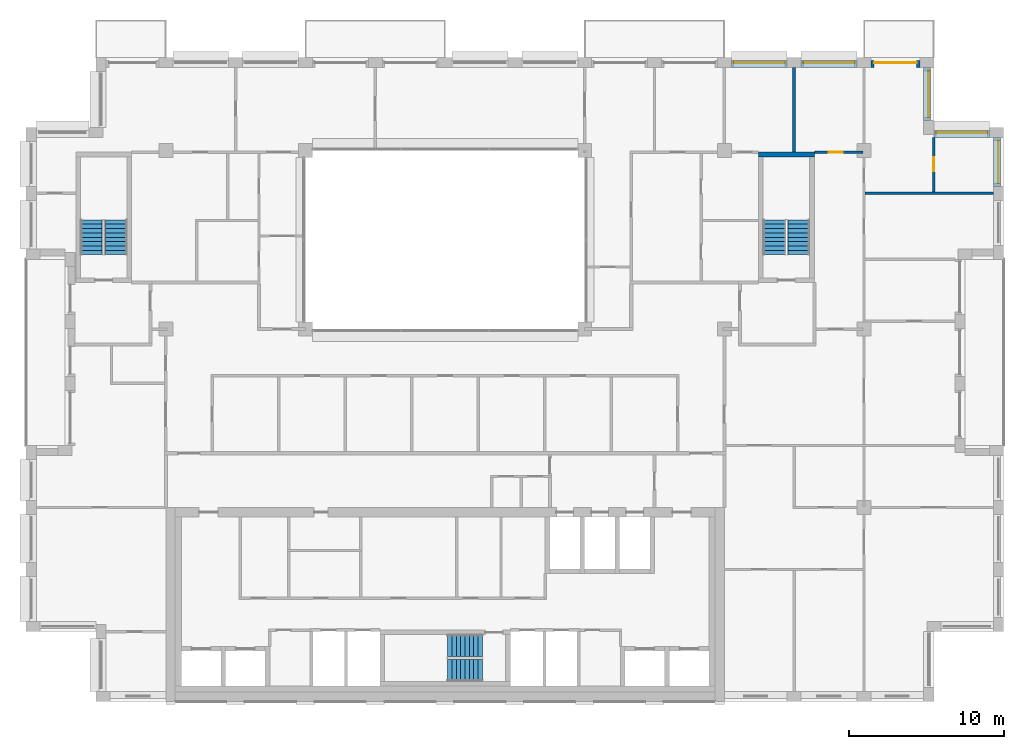
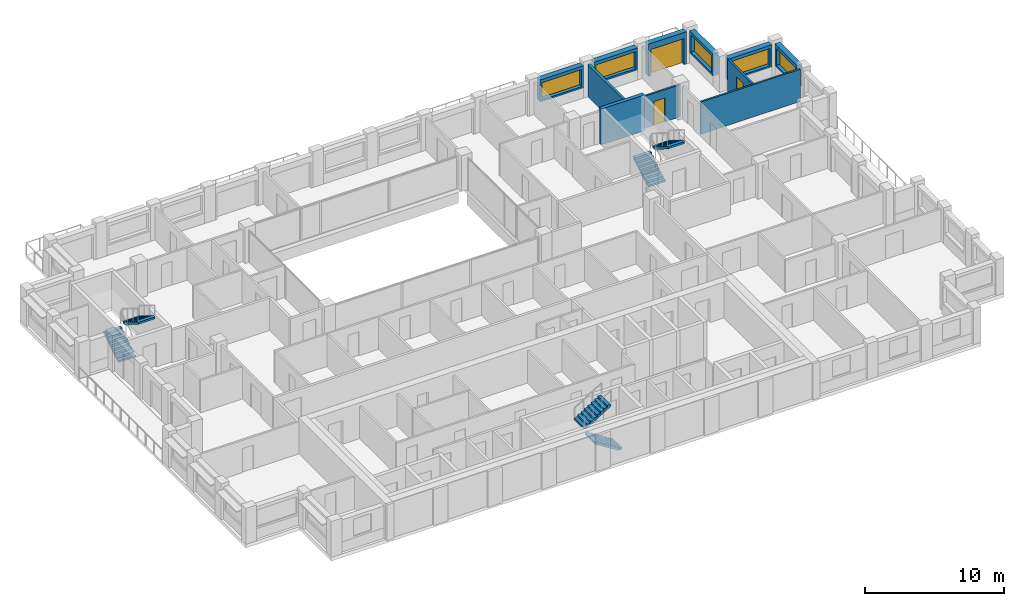
# One storey, part 14 of 15: 11 walls, 6 stair flights, 5 windows, 3 doors, 8 openings, 3 elements without a shape of their own.
"""IFC4 building model written with IfcOpenShell, lengths in metres."""

from ifc_helpers import new_model, si_unit, direction, frame, frame_2d, origin, place, context, subcontext, project, spatial, polyline, rectangle, outline, extrude, material, layer, layer_set, type_object, element, fill, aggregate, save


model = new_model("IFC4")

# Units and contexts
model_context = context("Model", 3, precision=1e-05, world=origin(), true_north=direction((0.0, 1.0)))
body_context = subcontext(model_context, "Body", "Model", "MODEL_VIEW")
ifc_project = project(units=[si_unit("LENGTHUNIT", "METRE"), si_unit("AREAUNIT", "SQUARE_METRE"), si_unit("VOLUMEUNIT", "CUBIC_METRE"), si_unit("PLANEANGLEUNIT", "RADIAN"), si_unit("MASSUNIT", "GRAM", prefix="KILO")], contexts=[model_context])

# Site, building, storey
site_placement = place(None, origin())
site = spatial("IfcSite", under=ifc_project, at=site_placement, CompositionType="ELEMENT")
building_placement = place(site_placement, origin())
building = spatial("IfcBuilding", under=site, at=building_placement, Name="Brigalow Station Residences", CompositionType="ELEMENT")
storey_placement = place(building_placement, frame((0.0, 0.0, 216.89990234375)))
storey = spatial("IfcBuildingStorey", under=building, at=storey_placement, Name="L62", CompositionType="ELEMENT", Elevation=216.89990234375)

# Wall, opening, window
ifc_material_1 = material(Name="Clay brick masonry", Category="masonry")
ifc_layer_1 = layer(ifc_material_1, 0.449951171875)
ifc_layer_set_1 = layer_set([ifc_layer_1], Name="BRICK INFILL WALL 450")
wall_type_1 = type_object("IfcWallType", Name="BRICK INFILL WALL 450", PredefinedType="SOLIDWALL", material=ifc_layer_set_1)
wall_1_placement = place(storey_placement, frame((71.574951171875, 33.199951171875, 0.900146484375), z_axis=(0.0, 0.0, 1.0), x_axis=(0.0, 1.0, 0.0)))
wall_1 = element("IfcWall", 1, at=wall_1_placement, inside=storey, type_object=wall_type_1, Name="L62/ewall/W-L62-17", PredefinedType="SOLIDWALL", context=body_context, shape_type="SweptSolid", body=[
    extrude(rectangle(XDim=3.150146484375, YDim=0.449951171875, at=frame_2d((1.5751953125, 0.0))), origin(), (0.0, 0.0, 1.0), 1.929931640625),
])
opening_1_placement = place(wall_1_placement, frame((0.199951171875, 0.0, 0.14990234375)))
opening_1 = element("IfcOpeningElement", 2, at=opening_1_placement, cuts=wall_1, Name="Opening WT-3", PredefinedType="OPENING", context=body_context, shape_type="SweptSolid", body=[
    extrude(rectangle(XDim=2.75, YDim=1.5, at=frame_2d((1.375, 0.75))), frame((0.0, 0.23486328125, 0.0), z_axis=(0.0, -1.0, 0.0), x_axis=(1.0, 0.0, 0.0)), (0.0, 0.0, 1.0), 0.469970703125),
])
ifc_material_2 = material(Name="Anodised aluminium frame with double glazing", Category="aluminium")
window_type_1 = type_object("IfcWindowType", Name="WINDOW 2750x1500", PartitioningType="SINGLE_PANEL", PredefinedType="WINDOW", material=ifc_material_2)
window_1_placement = place(opening_1_placement, origin())
window_1 = element("IfcWindow", 3, at=window_1_placement, inside=storey, type_object=window_type_1, Name="L62/window/W-L62-17", OverallHeight=1.5, OverallWidth=2.75, PartitioningType="SINGLE_PANEL", PredefinedType="WINDOW", context=body_context, shape_type="SweptSolid", body=[
    extrude(rectangle(XDim=2.75, YDim=1.5, at=frame_2d((1.375, 0.75))), frame((0.0, -0.06494140625, 0.0), z_axis=(0.0, -1.0, 0.0), x_axis=(1.0, 0.0, 0.0)), (0.0, 0.0, 1.0), 0.06005859375),
])
fill(opening_1, window_1)

wall_2_placement = place(storey_placement, frame((71.10009765625, 36.574951171875, 0.900146484375), z_axis=(0.0, 0.0, 1.0), x_axis=(-1.0, 0.0, 0.0)))
wall_2 = element("IfcWall", 4, at=wall_2_placement, inside=storey, type_object=wall_type_1, Name="L62/ewall/W-L62-18", PredefinedType="SOLIDWALL", context=body_context, shape_type="SweptSolid", body=[
    extrude(rectangle(XDim=3.60009765625, YDim=0.449951171875, at=frame_2d((1.800048828125, 0.0))), origin(), (0.0, 0.0, 1.0), 1.929931640625),
])
opening_2_placement = place(wall_2_placement, frame((0.14990234375, 0.0, 0.14990234375)))
opening_2 = element("IfcOpeningElement", 5, at=opening_2_placement, cuts=wall_2, Name="Opening WT-10", PredefinedType="OPENING", context=body_context, shape_type="SweptSolid", body=[
    extrude(rectangle(XDim=3.300048828125, YDim=1.5, at=frame_2d((1.64990234375, 0.75))), frame((0.0, 0.23486328125, 0.0), z_axis=(0.0, -1.0, 0.0), x_axis=(1.0, 0.0, 0.0)), (0.0, 0.0, 1.0), 0.469970703125),
])
ifc_material_3 = material(Name="Anodised aluminium frame with double glazing", Category="aluminium")
window_type_2 = type_object("IfcWindowType", Name="WINDOW 3300x1500", PartitioningType="SINGLE_PANEL", PredefinedType="WINDOW", material=ifc_material_3)
window_2_placement = place(opening_2_placement, origin())
window_2 = element("IfcWindow", 6, at=window_2_placement, inside=storey, type_object=window_type_2, Name="L62/window/W-L62-18", OverallHeight=1.5, OverallWidth=3.300048828125, PartitioningType="SINGLE_PANEL", PredefinedType="WINDOW", context=body_context, shape_type="SweptSolid", body=[
    extrude(rectangle(XDim=3.300048828125, YDim=1.5, at=frame_2d((1.64990234375, 0.75))), frame((0.0, -0.06494140625, 0.0), z_axis=(0.0, -1.0, 0.0), x_axis=(1.0, 0.0, 0.0)), (0.0, 0.0, 1.0), 0.06005859375),
])
fill(opening_2, window_2)

wall_3_placement = place(storey_placement, frame((67.074951171875, 37.449951171875, 0.900146484375), z_axis=(0.0, 0.0, 1.0), x_axis=(0.0, 1.0, 0.0)))
wall_3 = element("IfcWall", 7, at=wall_3_placement, inside=storey, type_object=wall_type_1, Name="L62/ewall/W-L62-19", PredefinedType="SOLIDWALL", context=body_context, shape_type="SweptSolid", body=[
    extrude(rectangle(XDim=3.400146484375, YDim=0.449951171875, at=frame_2d((1.7001953125, 0.0))), origin(), (0.0, 0.0, 1.0), 1.929931640625),
])
opening_3_placement = place(wall_3_placement, frame((0.199951171875, 0.0, 0.14990234375)))
opening_3 = element("IfcOpeningElement", 8, at=opening_3_placement, cuts=wall_3, Name="Opening WT-2", PredefinedType="OPENING", context=body_context, shape_type="SweptSolid", body=[
    extrude(rectangle(XDim=3.0, YDim=1.5, at=frame_2d((1.5, 0.75))), frame((0.0, 0.23486328125, 0.0), z_axis=(0.0, -1.0, 0.0), x_axis=(1.0, 0.0, 0.0)), (0.0, 0.0, 1.0), 0.469970703125),
])
ifc_material_4 = material(Name="Anodised aluminium frame with double glazing", Category="aluminium")
window_type_3 = type_object("IfcWindowType", Name="WINDOW 3000x1500", PartitioningType="SINGLE_PANEL", PredefinedType="WINDOW", material=ifc_material_4)
window_3_placement = place(opening_3_placement, origin())
window_3 = element("IfcWindow", 9, at=window_3_placement, inside=storey, type_object=window_type_3, Name="L62/window/W-L62-19", OverallHeight=1.5, OverallWidth=3.0, PartitioningType="SINGLE_PANEL", PredefinedType="WINDOW", context=body_context, shape_type="SweptSolid", body=[
    extrude(rectangle(XDim=3.0, YDim=1.5, at=frame_2d((1.5, 0.75))), frame((0.0, -0.06494140625, 0.0), z_axis=(0.0, -1.0, 0.0), x_axis=(1.0, 0.0, 0.0)), (0.0, 0.0, 1.0), 0.06005859375),
])
fill(opening_3, window_3)

# Wall, opening, door
wall_4_placement = place(storey_placement, frame((66.60009765625, 41.074951171875, 0.0), z_axis=(0.0, 0.0, 1.0), x_axis=(-1.0, 0.0, 0.0)))
wall_4 = element("IfcWall", 10, at=wall_4_placement, inside=storey, type_object=wall_type_1, Name="L62/ewall/W-L62-20", PredefinedType="SOLIDWALL", context=body_context, shape_type="SweptSolid", body=[
    extrude(rectangle(XDim=3.150146484375, YDim=0.449951171875, at=frame_2d((1.5751953125, 0.0))), origin(), (0.0, 0.0, 1.0), 2.830078125),
])
opening_4_placement = place(wall_4_placement, frame((0.199951171875, 0.0, 0.0)))
opening_4 = element("IfcOpeningElement", 11, at=opening_4_placement, cuts=wall_4, Name="Opening D-B2750", PredefinedType="OPENING", context=body_context, shape_type="SweptSolid", body=[
    extrude(rectangle(XDim=2.75, YDim=2.300048828125, at=frame_2d((1.375, 1.14990234375))), frame((0.0, 0.23486328125, 0.0), z_axis=(0.0, -1.0, 0.0), x_axis=(1.0, 0.0, 0.0)), (0.0, 0.0, 1.0), 0.469970703125),
])
ifc_material_5 = material(Name="Anodised aluminium frame with double glazing", Category="aluminium")
door_type_1 = type_object("IfcDoorType", Name="BALCONY SLIDING DOOR 2750x2300", OperationType="SLIDING_TO_LEFT", PredefinedType="DOOR", material=ifc_material_5)
door_1_placement = place(opening_4_placement, origin())
door_1 = element("IfcDoor", 12, at=door_1_placement, inside=storey, type_object=door_type_1, Name="L62/balcony-door/W-L62-20", OperationType="SLIDING_TO_LEFT", OverallHeight=2.300048828125, OverallWidth=2.75, PredefinedType="DOOR", context=body_context, shape_type="SweptSolid", body=[
    extrude(rectangle(XDim=2.75, YDim=2.300048828125, at=frame_2d((1.375, 1.14990234375))), frame((0.0, -0.06982421875, 0.0), z_axis=(0.0, -1.0, 0.0), x_axis=(1.0, 0.0, 0.0)), (0.0, 0.0, 1.0), 0.050048828125),
])
fill(opening_4, door_1)

# Wall, opening, window
wall_5_placement = place(storey_placement, frame((62.550048828125, 41.074951171875, 0.900146484375), z_axis=(0.0, 0.0, 1.0), x_axis=(-1.0, 0.0, 0.0)))
wall_5 = element("IfcWall", 13, at=wall_5_placement, inside=storey, type_object=wall_type_1, Name="L62/ewall/W-L62-21", PredefinedType="SOLIDWALL", context=body_context, shape_type="SweptSolid", body=[
    extrude(rectangle(XDim=3.60009765625, YDim=0.449951171875, at=frame_2d((1.800048828125, 0.0))), origin(), (0.0, 0.0, 1.0), 1.929931640625),
])
opening_5_placement = place(wall_5_placement, frame((0.14990234375, 0.0, 0.14990234375)))
opening_5 = element("IfcOpeningElement", 14, at=opening_5_placement, cuts=wall_5, Name="Opening WT-10", PredefinedType="OPENING", context=body_context, shape_type="SweptSolid", body=[
    extrude(rectangle(XDim=3.300048828125, YDim=1.5, at=frame_2d((1.64990234375, 0.75))), frame((0.0, 0.23486328125, 0.0), z_axis=(0.0, -1.0, 0.0), x_axis=(1.0, 0.0, 0.0)), (0.0, 0.0, 1.0), 0.469970703125),
])
window_4_placement = place(opening_5_placement, origin())
window_4 = element("IfcWindow", 15, at=window_4_placement, inside=storey, type_object=window_type_2, Name="L62/window/W-L62-21", OverallHeight=1.5, OverallWidth=3.300048828125, PartitioningType="SINGLE_PANEL", PredefinedType="WINDOW", context=body_context, shape_type="SweptSolid", body=[
    extrude(rectangle(XDim=3.300048828125, YDim=1.5, at=frame_2d((1.64990234375, 0.75))), frame((0.0, -0.06494140625, 0.0), z_axis=(0.0, -1.0, 0.0), x_axis=(1.0, 0.0, 0.0)), (0.0, 0.0, 1.0), 0.06005859375),
])
fill(opening_5, window_4)

wall_6_placement = place(storey_placement, frame((58.050048828125, 41.074951171875, 0.900146484375), z_axis=(0.0, 0.0, 1.0), x_axis=(-1.0, 0.0, 0.0)))
wall_6 = element("IfcWall", 16, at=wall_6_placement, inside=storey, type_object=wall_type_1, Name="L62/ewall/W-L62-22", PredefinedType="SOLIDWALL", context=body_context, shape_type="SweptSolid", body=[
    extrude(rectangle(XDim=3.60009765625, YDim=0.449951171875, at=frame_2d((1.800048828125, 0.0))), origin(), (0.0, 0.0, 1.0), 1.929931640625),
])
opening_6_placement = place(wall_6_placement, frame((0.14990234375, 0.0, 0.14990234375)))
opening_6 = element("IfcOpeningElement", 17, at=opening_6_placement, cuts=wall_6, Name="Opening WT-10", PredefinedType="OPENING", context=body_context, shape_type="SweptSolid", body=[
    extrude(rectangle(XDim=3.300048828125, YDim=1.5, at=frame_2d((1.64990234375, 0.75))), frame((0.0, 0.23486328125, 0.0), z_axis=(0.0, -1.0, 0.0), x_axis=(1.0, 0.0, 0.0)), (0.0, 0.0, 1.0), 0.469970703125),
])
window_5_placement = place(opening_6_placement, origin())
window_5 = element("IfcWindow", 18, at=window_5_placement, inside=storey, type_object=window_type_2, Name="L62/window/W-L62-22", OverallHeight=1.5, OverallWidth=3.300048828125, PartitioningType="SINGLE_PANEL", PredefinedType="WINDOW", context=body_context, shape_type="SweptSolid", body=[
    extrude(rectangle(XDim=3.300048828125, YDim=1.5, at=frame_2d((1.64990234375, 0.75))), frame((0.0, -0.06494140625, 0.0), z_axis=(0.0, -1.0, 0.0), x_axis=(1.0, 0.0, 0.0)), (0.0, 0.0, 1.0), 0.06005859375),
])
fill(opening_6, window_5)

# Wall
ifc_material_6 = material(Name="Concrete C50", Category="concrete")
ifc_layer_2 = layer(ifc_material_6, 0.300048828125)
ifc_layer_set_2 = layer_set([ifc_layer_2], Name="CORE SHEAR WALL 300 C50")
wall_type_2 = type_object("IfcWallType", Name="CORE SHEAR WALL 300 C50", PredefinedType="SHEAR", material=ifc_layer_set_2)
wall_7_placement = place(storey_placement, frame((56.199951171875, 35.25, 0.0), z_axis=(0.0, 0.0, 1.0), x_axis=(1.0, 0.0, 0.0)))
element("IfcWall", 19, at=wall_7_placement, inside=storey, type_object=wall_type_2, Name="CORE WALL ST-S3-N L62", PredefinedType="SHEAR", context=body_context, shape_type="SweptSolid", body=[
    extrude(rectangle(XDim=3.60009765625, YDim=0.300048828125, at=frame_2d((1.800048828125, 0.0))), origin(), (0.0, 0.0, 1.0), 3.150146484375),
])

# Wall, opening, door
ifc_material_7 = material(Name="Plasterboard on steel stud partition", Category="steel")
ifc_layer_3 = layer(ifc_material_7, 0.14990234375)
ifc_layer_set_3 = layer_set([ifc_layer_3], Name="FLAT PARTITION 150")
wall_type_3 = type_object("IfcWallType", Name="FLAT PARTITION 150", PredefinedType="PARTITIONING", material=ifc_layer_set_3)
wall_8_placement = place(storey_placement, frame((59.800048828125, 35.39990234375, 0.0), z_axis=(0.0, 0.0, 1.0), x_axis=(1.0, 0.0, 0.0)))
wall_8 = element("IfcWall", 20, at=wall_8_placement, inside=storey, type_object=wall_type_3, Name="PW-4C16", PredefinedType="PARTITIONING", context=body_context, shape_type="SweptSolid", body=[
    extrude(rectangle(XDim=3.125, YDim=0.14990234375, at=frame_2d((1.5625, 0.0))), origin(), (0.0, 0.0, 1.0), 2.830078125),
])
opening_7_placement = place(wall_8_placement, frame((0.925048828125, 0.0, 0.0)))
opening_7 = element("IfcOpeningElement", 21, at=opening_7_placement, cuts=wall_8, Name="Opening D-4C36", PredefinedType="OPENING", context=body_context, shape_type="SweptSolid", body=[
    extrude(rectangle(XDim=0.89990234375, YDim=2.10009765625, at=frame_2d((0.449951171875, 1.050048828125))), frame((0.0, 0.0849609375, 0.0), z_axis=(0.0, -1.0, 0.0), x_axis=(1.0, 0.0, 0.0)), (0.0, 0.0, 1.0), 0.169921875),
])
ifc_material_8 = material(Name="Solid-core timber door leaf", Category="wood")
door_type_2 = type_object("IfcDoorType", Name="INTERNAL DOOR 900 x 2100", OperationType="SINGLE_SWING_LEFT", PredefinedType="DOOR", material=ifc_material_8)
door_2_placement = place(opening_7_placement, origin())
door_2 = element("IfcDoor", 22, at=door_2_placement, inside=storey, type_object=door_type_2, Name="D-4C36", OperationType="SINGLE_SWING_RIGHT", OverallHeight=2.10009765625, OverallWidth=0.89990234375, PredefinedType="DOOR", context=body_context, shape_type="SweptSolid", body=[
    extrude(rectangle(XDim=0.89990234375, YDim=2.10009765625, at=frame_2d((0.449951171875, 1.050048828125))), frame((0.0, 0.02490234375, 0.0), z_axis=(0.0, -1.0, 0.0), x_axis=(1.0, 0.0, 0.0)), (0.0, 0.0, 1.0), 0.050048828125),
])
fill(opening_7, door_2)

# Wall
wall_9_placement = place(storey_placement, frame((63.074951171875, 32.75, 0.0), z_axis=(0.0, 0.0, 1.0), x_axis=(1.0, 0.0, 0.0)))
element("IfcWall", 23, at=wall_9_placement, inside=storey, type_object=wall_type_3, Name="PW-4C20", PredefinedType="PARTITIONING", context=body_context, shape_type="SweptSolid", body=[
    extrude(rectangle(XDim=8.275146484375, YDim=0.14990234375, at=frame_2d((4.1376953125, 0.0))), origin(), (0.0, 0.0, 1.0), 2.830078125),
])

# Wall, opening, door
wall_10_placement = place(storey_placement, frame((67.5, 32.824951171875, 0.0), z_axis=(0.0, 0.0, 1.0), x_axis=(0.0, 1.0, 0.0)))
wall_10 = element("IfcWall", 24, at=wall_10_placement, inside=storey, type_object=wall_type_3, Name="PW-4C51", PredefinedType="PARTITIONING", context=body_context, shape_type="SweptSolid", body=[
    extrude(rectangle(XDim=3.525146484375, YDim=0.14990234375, at=frame_2d((1.7626953125, 0.0))), origin(), (0.0, 0.0, 1.0), 2.830078125),
])
opening_8_placement = place(wall_10_placement, frame((1.35009765625, 0.0, 0.0)))
opening_8 = element("IfcOpeningElement", 25, at=opening_8_placement, cuts=wall_10, Name="Opening D-4C35", PredefinedType="OPENING", context=body_context, shape_type="SweptSolid", body=[
    extrude(rectangle(XDim=0.89990234375, YDim=2.10009765625, at=frame_2d((0.449951171875, 1.050048828125))), frame((0.0, 0.0849609375, 0.0), z_axis=(0.0, -1.0, 0.0), x_axis=(1.0, 0.0, 0.0)), (0.0, 0.0, 1.0), 0.169921875),
])
door_3_placement = place(opening_8_placement, frame((0.89990234375, 0.0, 0.0), z_axis=(0.0, 0.0, 1.0), x_axis=(-1.0, 0.0, 0.0)))
door_3 = element("IfcDoor", 26, at=door_3_placement, inside=storey, type_object=door_type_2, Name="D-4C35", OperationType="SINGLE_SWING_LEFT", OverallHeight=2.10009765625, OverallWidth=0.89990234375, PredefinedType="DOOR", context=body_context, shape_type="SweptSolid", body=[
    extrude(rectangle(XDim=0.89990234375, YDim=2.10009765625, at=frame_2d((0.449951171875, 1.050048828125))), frame((0.0, 0.02490234375, 0.0), z_axis=(0.0, -1.0, 0.0), x_axis=(1.0, 0.0, 0.0)), (0.0, 0.0, 1.0), 0.050048828125),
])
fill(opening_8, door_3)

# Wall
ifc_material_9 = material(Name="Plasterboard on steel stud partition", Category="steel")
ifc_layer_4 = layer(ifc_material_9, 0.199951171875)
ifc_layer_set_4 = layer_set([ifc_layer_4], Name="PARTY AND CORRIDOR WALL 200")
wall_type_4 = type_object("IfcWallType", Name="PARTY AND CORRIDOR WALL 200", PredefinedType="PARTITIONING", material=ifc_layer_set_4)
wall_11_placement = place(storey_placement, frame((58.5, 35.39990234375, 0.0), z_axis=(0.0, 0.0, 1.0), x_axis=(0.0, 1.0, 0.0)))
element("IfcWall", 27, at=wall_11_placement, inside=storey, type_object=wall_type_4, Name="PW-4C47", PredefinedType="PARTITIONING", context=body_context, shape_type="SweptSolid", body=[
    extrude(rectangle(XDim=5.4501953125, YDim=0.199951171875, at=frame_2d((2.72509765625, 0.0))), origin(), (0.0, 0.0, 1.0), 2.830078125),
])

# Stair, stair flights
ifc_material_10 = material(Name="Concrete C50", Category="concrete")
stair_type = type_object("IfcStairType", Name="EXIT STAIR 1400 2 FLIGHT", PredefinedType="HALF_TURN_STAIR", material=ifc_material_10)
stair_1_placement = place(storey_placement, origin())
stair_1 = element("IfcStair", 28, at=stair_1_placement, inside=storey, type_object=stair_type, Name="EXIT STAIR S2 L62", PredefinedType="HALF_TURN_STAIR")
ifc_material_11 = material(Name="Concrete C50", Category="concrete")
stair_flight_type = type_object("IfcStairFlightType", Name="STAIR FLIGHT 1400", PredefinedType="STRAIGHT", material=ifc_material_11)
stair_flight_1_placement = place(storey_placement, frame((38.39990234375, 2.0, 0.0), z_axis=(0.0, 0.0, 1.0), x_axis=(-1.0, 0.0, 0.0)))
stair_flight_1 = element("IfcStairFlight", 29, at=stair_flight_1_placement, type_object=stair_flight_type, Name="ST-2 flight 1", NumberOfRisers=9, NumberOfTreads=8, PredefinedType="STRAIGHT", RiserHeight=0.175, TreadLength=0.28, context=body_context, shape_type="SweptSolid", body=[
    extrude(outline(polyline([(0.0, 0.0), (0.0, 0.175048828125), (0.280029296875, 0.175048828125), (0.280029296875, 0.35009765625), (0.56005859375, 0.35009765625), (0.56005859375, 0.52490234375), (0.840087890625, 0.52490234375), (0.840087890625, 0.699951171875), (1.1201171875, 0.699951171875), (1.1201171875, 0.875), (1.39990234375, 0.875), (1.39990234375, 1.050048828125), (1.679931640625, 1.050048828125), (1.679931640625, 1.22509765625), (1.9599609375, 1.22509765625), (1.9599609375, 1.39990234375), (2.239990234375, 1.39990234375), (2.239990234375, 1.574951171875), (2.239990234375, 1.22314453125), (0.28271484375, 0.0), (0.0, 0.0)])), frame((0.0, 0.699951171875, 0.0), z_axis=(0.0, -1.0, 0.0), x_axis=(1.0, 0.0, 0.0)), (0.0, 0.0, 1.0), 1.39990234375),
])
stair_flight_2_placement = place(storey_placement, frame((36.159912109375, 3.60009765625, 1.5751953125), z_axis=(0.0, 0.0, 1.0), x_axis=(1.0, 0.0, 0.0)))
stair_flight_2 = element("IfcStairFlight", 30, at=stair_flight_2_placement, type_object=stair_flight_type, Name="ST-2 flight 2", NumberOfRisers=9, NumberOfTreads=8, PredefinedType="STRAIGHT", RiserHeight=0.175, TreadLength=0.28, context=body_context, shape_type="SweptSolid", body=[
    extrude(outline(polyline([(0.0, 0.0), (0.0, 0.175048828125), (0.280029296875, 0.175048828125), (0.280029296875, 0.35009765625), (0.56005859375, 0.35009765625), (0.56005859375, 0.52490234375), (0.840087890625, 0.52490234375), (0.840087890625, 0.699951171875), (1.1201171875, 0.699951171875), (1.1201171875, 0.875), (1.39990234375, 0.875), (1.39990234375, 1.050048828125), (1.679931640625, 1.050048828125), (1.679931640625, 1.22509765625), (1.9599609375, 1.22509765625), (1.9599609375, 1.39990234375), (2.239990234375, 1.39990234375), (2.239990234375, 1.574951171875), (2.239990234375, 1.22314453125), (0.28271484375, 0.0), (0.0, 0.0)])), frame((0.0, 0.699951171875, 0.0), z_axis=(0.0, -1.0, 0.0), x_axis=(1.0, 0.0, 0.0)), (0.0, 0.0, 1.0), 1.39990234375),
])
aggregate(stair_1, [stair_flight_1, stair_flight_2])

stair_2_placement = place(storey_placement, origin())
stair_2 = element("IfcStair", 31, at=stair_2_placement, inside=storey, type_object=stair_type, Name="EXIT STAIR S1 L62", PredefinedType="HALF_TURN_STAIR")
stair_flight_3_placement = place(storey_placement, frame((13.199951171875, 28.800048828125, 0.0), z_axis=(0.0, 0.0, 1.0), x_axis=(0.0, 1.0, 0.0)))
stair_flight_3 = element("IfcStairFlight", 32, at=stair_flight_3_placement, type_object=stair_flight_type, Name="ST-1 flight 1", NumberOfRisers=9, NumberOfTreads=8, PredefinedType="STRAIGHT", RiserHeight=0.175, TreadLength=0.28, context=body_context, shape_type="SweptSolid", body=[
    extrude(outline(polyline([(0.0, 0.0), (0.0, 0.175048828125), (0.280029296875, 0.175048828125), (0.280029296875, 0.35009765625), (0.56005859375, 0.35009765625), (0.56005859375, 0.52490234375), (0.840087890625, 0.52490234375), (0.840087890625, 0.699951171875), (1.1201171875, 0.699951171875), (1.1201171875, 0.875), (1.39990234375, 0.875), (1.39990234375, 1.050048828125), (1.679931640625, 1.050048828125), (1.679931640625, 1.22509765625), (1.9599609375, 1.22509765625), (1.9599609375, 1.39990234375), (2.239990234375, 1.39990234375), (2.239990234375, 1.574951171875), (2.239990234375, 1.22314453125), (0.28271484375, 0.0), (0.0, 0.0)])), frame((0.0, 0.699951171875, 0.0), z_axis=(0.0, -1.0, 0.0), x_axis=(1.0, 0.0, 0.0)), (0.0, 0.0, 1.0), 1.39990234375),
])
stair_flight_4_placement = place(storey_placement, frame((14.800048828125, 31.0400390625, 1.5751953125), z_axis=(0.0, 0.0, 1.0), x_axis=(0.0, -1.0, 0.0)))
stair_flight_4 = element("IfcStairFlight", 33, at=stair_flight_4_placement, type_object=stair_flight_type, Name="ST-1 flight 2", NumberOfRisers=9, NumberOfTreads=8, PredefinedType="STRAIGHT", RiserHeight=0.175, TreadLength=0.28, context=body_context, shape_type="SweptSolid", body=[
    extrude(outline(polyline([(0.0, 0.0), (0.0, 0.175048828125), (0.280029296875, 0.175048828125), (0.280029296875, 0.35009765625), (0.56005859375, 0.35009765625), (0.56005859375, 0.52490234375), (0.840087890625, 0.52490234375), (0.840087890625, 0.699951171875), (1.1201171875, 0.699951171875), (1.1201171875, 0.875), (1.39990234375, 0.875), (1.39990234375, 1.050048828125), (1.679931640625, 1.050048828125), (1.679931640625, 1.22509765625), (1.9599609375, 1.22509765625), (1.9599609375, 1.39990234375), (2.239990234375, 1.39990234375), (2.239990234375, 1.574951171875), (2.239990234375, 1.22314453125), (0.28271484375, 0.0), (0.0, 0.0)])), frame((0.0, 0.699951171875, 0.0), z_axis=(0.0, -1.0, 0.0), x_axis=(1.0, 0.0, 0.0)), (0.0, 0.0, 1.0), 1.39990234375),
])
aggregate(stair_2, [stair_flight_3, stair_flight_4])

stair_3_placement = place(storey_placement, origin())
stair_3 = element("IfcStair", 34, at=stair_3_placement, inside=storey, type_object=stair_type, Name="EXIT STAIR S3 L62", PredefinedType="HALF_TURN_STAIR")
stair_flight_5_placement = place(storey_placement, frame((57.199951171875, 28.800048828125, 0.0), z_axis=(0.0, 0.0, 1.0), x_axis=(0.0, 1.0, 0.0)))
stair_flight_5 = element("IfcStairFlight", 35, at=stair_flight_5_placement, type_object=stair_flight_type, Name="ST-3 flight 1", NumberOfRisers=9, NumberOfTreads=8, PredefinedType="STRAIGHT", RiserHeight=0.175, TreadLength=0.28, context=body_context, shape_type="SweptSolid", body=[
    extrude(outline(polyline([(0.0, 0.0), (0.0, 0.175048828125), (0.280029296875, 0.175048828125), (0.280029296875, 0.35009765625), (0.56005859375, 0.35009765625), (0.56005859375, 0.52490234375), (0.840087890625, 0.52490234375), (0.840087890625, 0.699951171875), (1.1201171875, 0.699951171875), (1.1201171875, 0.875), (1.39990234375, 0.875), (1.39990234375, 1.050048828125), (1.679931640625, 1.050048828125), (1.679931640625, 1.22509765625), (1.9599609375, 1.22509765625), (1.9599609375, 1.39990234375), (2.239990234375, 1.39990234375), (2.239990234375, 1.574951171875), (2.239990234375, 1.22314453125), (0.28271484375, 0.0), (0.0, 0.0)])), frame((0.0, 0.699951171875, 0.0), z_axis=(0.0, -1.0, 0.0), x_axis=(1.0, 0.0, 0.0)), (0.0, 0.0, 1.0), 1.39990234375),
])
stair_flight_6_placement = place(storey_placement, frame((58.800048828125, 31.0400390625, 1.5751953125), z_axis=(0.0, 0.0, 1.0), x_axis=(0.0, -1.0, 0.0)))
stair_flight_6 = element("IfcStairFlight", 36, at=stair_flight_6_placement, type_object=stair_flight_type, Name="ST-3 flight 2", NumberOfRisers=9, NumberOfTreads=8, PredefinedType="STRAIGHT", RiserHeight=0.175, TreadLength=0.28, context=body_context, shape_type="SweptSolid", body=[
    extrude(outline(polyline([(0.0, 0.0), (0.0, 0.175048828125), (0.280029296875, 0.175048828125), (0.280029296875, 0.35009765625), (0.56005859375, 0.35009765625), (0.56005859375, 0.52490234375), (0.840087890625, 0.52490234375), (0.840087890625, 0.699951171875), (1.1201171875, 0.699951171875), (1.1201171875, 0.875), (1.39990234375, 0.875), (1.39990234375, 1.050048828125), (1.679931640625, 1.050048828125), (1.679931640625, 1.22509765625), (1.9599609375, 1.22509765625), (1.9599609375, 1.39990234375), (2.239990234375, 1.39990234375), (2.239990234375, 1.574951171875), (2.239990234375, 1.22314453125), (0.28271484375, 0.0), (0.0, 0.0)])), frame((0.0, 0.699951171875, 0.0), z_axis=(0.0, -1.0, 0.0), x_axis=(1.0, 0.0, 0.0)), (0.0, 0.0, 1.0), 1.39990234375),
])
aggregate(stair_3, [stair_flight_5, stair_flight_6])

save(model, "model.ifc")
